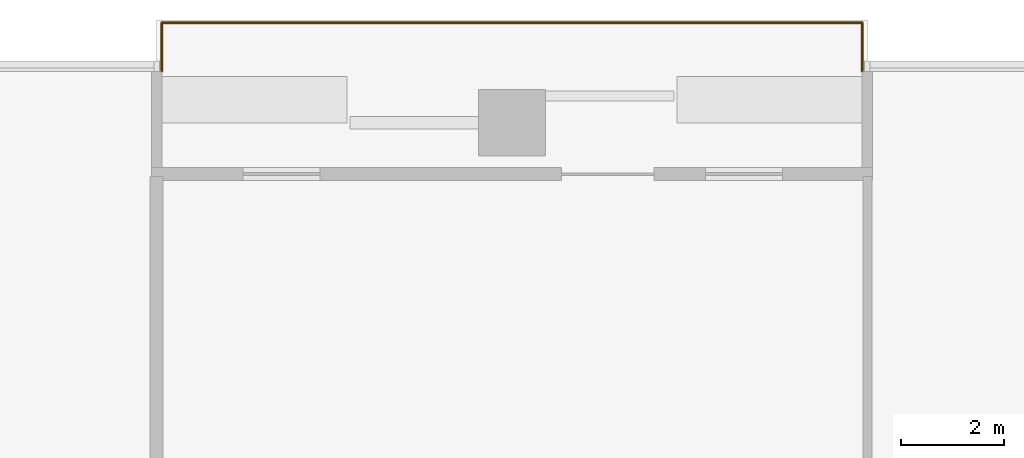
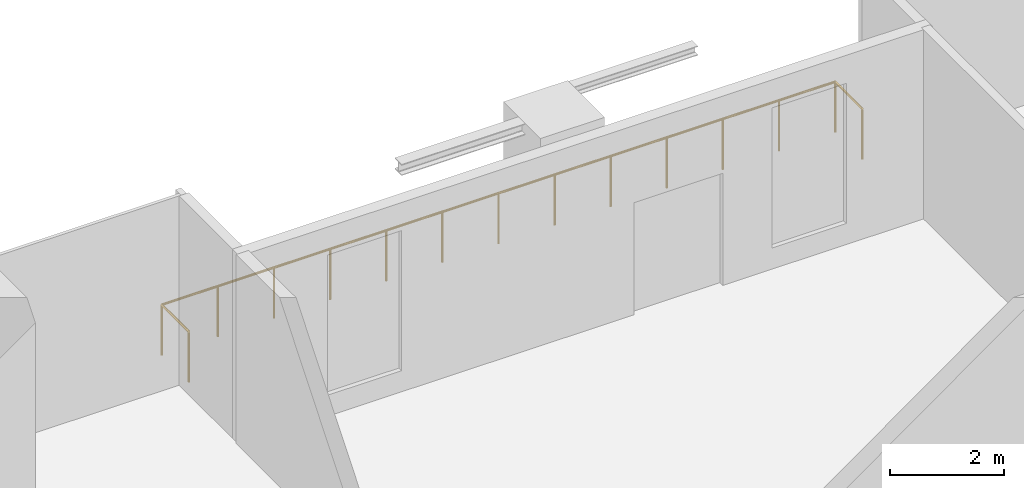
# One storey, part 15 of 15: 1 railing.
"""IFC4 building model written with IfcOpenShell, lengths in metres."""

from ifc_helpers import new_model, si_unit, direction, frame, origin, origin_2d, place, context, subcontext, project, spatial, circle, extrude, material, type_object, element, save


model = new_model("IFC4")

# Units and contexts
model_context = context("Model", 3, precision=1e-05, world=origin(), true_north=direction((0.0, 1.0)))
body_context = subcontext(model_context, "Body", "Model", "MODEL_VIEW")
ifc_project = project(units=[si_unit("LENGTHUNIT", "METRE"), si_unit("AREAUNIT", "SQUARE_METRE"), si_unit("VOLUMEUNIT", "CUBIC_METRE"), si_unit("PLANEANGLEUNIT", "RADIAN"), si_unit("MASSUNIT", "GRAM", prefix="KILO")], contexts=[model_context])

# Site, building, storey
site_placement = place(None, origin())
site = spatial("IfcSite", under=ifc_project, at=site_placement, CompositionType="ELEMENT")
building_placement = place(site_placement, origin())
building = spatial("IfcBuilding", under=site, at=building_placement, Name="Mopane Tessera Tower", CompositionType="ELEMENT")
storey_placement = place(building_placement, frame((0.0, 0.0, 112.60009765625)))
storey = spatial("IfcBuildingStorey", under=building, at=storey_placement, Name="L22", CompositionType="ELEMENT", Elevation=112.60009765625)

# Railing
ifc_material = material(Name="Stainless steel S316", Category="steel")
railing_type = type_object("IfcRailingType", Name="Terrace guard 1100", PredefinedType="GUARDRAIL", material=ifc_material)
railing_placement = place(storey_placement, frame((18.340087890625, 25.5, 0.0)))
element("IfcRailing", 1, at=railing_placement, inside=storey, type_object=railing_type, Name="e:nw:L22:N1:guard", PredefinedType="GUARDRAIL", context=body_context, shape_type="SweptSolid", body=[
    extrude(circle(Radius=0.02392578125, at=origin_2d()), frame((0.0, 0.0, 1.076171875), z_axis=(0.0, 1.0, 0.0), x_axis=(-1.0, 0.0, 0.0)), (0.0, 0.0, 1.0), 0.949951171875),
    extrude(circle(Radius=0.02392578125, at=origin_2d()), frame((0.0, 0.949951171875, 1.076171875), z_axis=(-1.0, 0.0, 0.0), x_axis=(0.0, -1.0, 0.0)), (0.0, 0.0, 1.0), 13.630126953125),
    extrude(circle(Radius=0.02392578125, at=origin_2d()), frame((-13.630126953125, 0.949951171875, 1.076171875), z_axis=(0.0, -1.0, 0.0), x_axis=(1.0, 0.0, 0.0)), (0.0, 0.0, 1.0), 0.949951171875),
    extrude(circle(Radius=0.02099609375, at=origin_2d()), origin(), (0.0, 0.0, 1.0), 1.052001953125),
    extrude(circle(Radius=0.02099609375, at=origin_2d()), frame((0.0, 0.949951171875, 0.0)), (0.0, 0.0, 1.0), 1.052001953125),
    extrude(circle(Radius=0.02099609375, at=origin_2d()), frame((-1.1357421875, 0.949951171875, 0.0)), (0.0, 0.0, 1.0), 1.052001953125),
    extrude(circle(Radius=0.02099609375, at=origin_2d()), frame((-2.271728515625, 0.949951171875, 0.0)), (0.0, 0.0, 1.0), 1.052001953125),
    extrude(circle(Radius=0.02099609375, at=origin_2d()), frame((-3.407470703125, 0.949951171875, 0.0)), (0.0, 0.0, 1.0), 1.052001953125),
    extrude(circle(Radius=0.02099609375, at=origin_2d()), frame((-4.54345703125, 0.949951171875, 0.0)), (0.0, 0.0, 1.0), 1.052001953125),
    extrude(circle(Radius=0.02099609375, at=origin_2d()), frame((-5.67919921875, 0.949951171875, 0.0)), (0.0, 0.0, 1.0), 1.052001953125),
    extrude(circle(Radius=0.02099609375, at=origin_2d()), frame((-6.81494140625, 0.949951171875, 0.0)), (0.0, 0.0, 1.0), 1.052001953125),
    extrude(circle(Radius=0.02099609375, at=origin_2d()), frame((-7.950927734375, 0.949951171875, 0.0)), (0.0, 0.0, 1.0), 1.052001953125),
    extrude(circle(Radius=0.02099609375, at=origin_2d()), frame((-9.086669921875, 0.949951171875, 0.0)), (0.0, 0.0, 1.0), 1.052001953125),
    extrude(circle(Radius=0.02099609375, at=origin_2d()), frame((-10.22265625, 0.949951171875, 0.0)), (0.0, 0.0, 1.0), 1.052001953125),
    extrude(circle(Radius=0.02099609375, at=origin_2d()), frame((-11.3583984375, 0.949951171875, 0.0)), (0.0, 0.0, 1.0), 1.052001953125),
    extrude(circle(Radius=0.02099609375, at=origin_2d()), frame((-12.494384765625, 0.949951171875, 0.0)), (0.0, 0.0, 1.0), 1.052001953125),
    extrude(circle(Radius=0.02099609375, at=origin_2d()), frame((-13.630126953125, 0.949951171875, 0.0)), (0.0, 0.0, 1.0), 1.052001953125),
    extrude(circle(Radius=0.02099609375, at=origin_2d()), frame((-13.630126953125, 0.0, 0.0)), (0.0, 0.0, 1.0), 1.052001953125),
])

save(model, "model.ifc")
